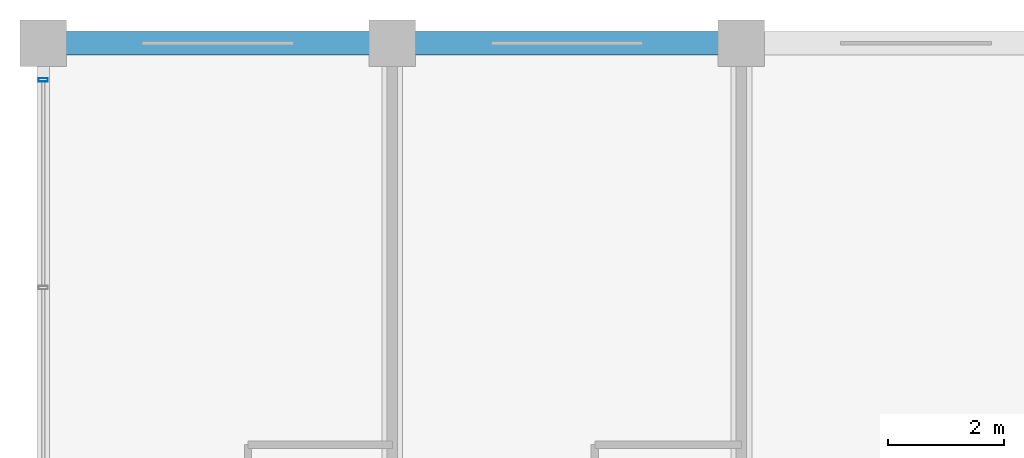
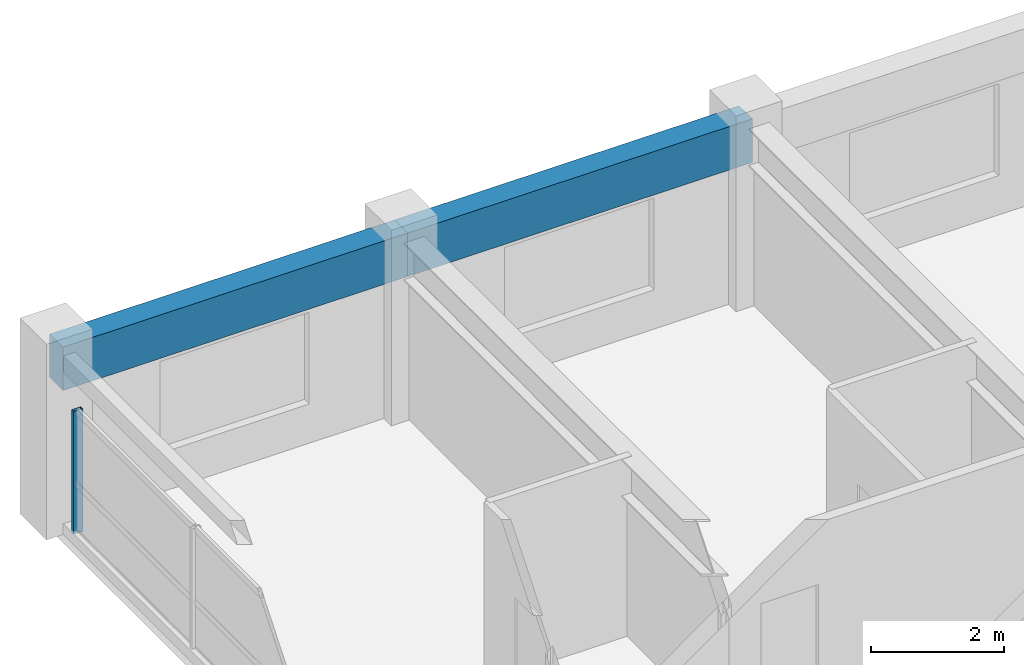
# One storey, part 17 of 26: 2 beams, 1 member, 1 element without a shape of its own.
"""IFC4 building model written with IfcOpenShell, lengths in metres."""

from ifc_helpers import new_model, si_unit, direction, frame, origin, origin_2d, place, context, subcontext, project, spatial, rectangle, hollow_rectangle, extrude, material, material_profile, profile_set, type_object, element, aggregate, save


model = new_model("IFC4")

# Units and contexts
model_context = context("Model", 3, precision=1e-05, world=origin(), true_north=direction((0.0, 1.0)))
body_context = subcontext(model_context, "Body", "Model", "MODEL_VIEW")
ifc_project = project(units=[si_unit("LENGTHUNIT", "METRE"), si_unit("AREAUNIT", "SQUARE_METRE"), si_unit("VOLUMEUNIT", "CUBIC_METRE"), si_unit("PLANEANGLEUNIT", "RADIAN"), si_unit("MASSUNIT", "GRAM", prefix="KILO")], contexts=[model_context])

# Site, building, storey
site_placement = place(None, origin())
site = spatial("IfcSite", under=ifc_project, at=site_placement, CompositionType="ELEMENT")
building_placement = place(site_placement, origin())
building = spatial("IfcBuilding", under=site, at=building_placement, Name="Kaldorvane Square Convention Centre", CompositionType="ELEMENT")
storey_placement = place(building_placement, frame((0.0, 0.0, 45.600006103515625)))
storey = spatial("IfcBuildingStorey", under=building, at=storey_placement, Name="L10", CompositionType="ELEMENT", Elevation=45.600006103515625)

# Beams
ifc_material_1 = material(Name="Concrete f'c = 42 MPa (Normalweight)", Category="concrete")
ifc_material_profile_1 = material_profile(ifc_material_1, rectangle(XDim=0.399993896484375, YDim=0.8000030517578125, at=origin_2d()), Name="RCSP800X400")
ifc_profile_set_1 = profile_set([ifc_material_profile_1], Name="Concrete f'c = 42 MPa (Normalweight)")
beam_type = type_object("IfcBeamType", Name="BM-SP-RC800", PredefinedType="SPANDREL", material=ifc_profile_set_1)
for number, where, z_axis, x_axis, name in (
    (1, (24.0, 117.0, 2.885986328125), (1.0, 0.0, 0.0), (0.0, 1.0, 0.0), "Perimeter Spandrel (L10)"),
    (2, (30.0, 117.0, 2.885986328125), (1.0, 0.0, 0.0), (0.0, 1.0, 0.0), "Perimeter Spandrel (L10)"),
):
    element("IfcBeam", number, at=place(storey_placement, frame(where, z_axis=z_axis, x_axis=x_axis)), inside=storey, type_object=beam_type, Name=name, PredefinedType="SPANDREL", context=body_context, shape_type="SweptSolid", body=[
        extrude(rectangle(XDim=0.399993896484375, YDim=0.8000030517578125, at=origin_2d()), origin(), (0.0, 0.0, 1.0), 6.0),
    ])

# Curtain wall, member
ifc_material_2 = material(Name="Anodized Aluminum and Low-E Insulated Glazing", Category="aluminium")
curtain_wall_type = type_object("IfcCurtainWallType", Name="CW-UNI-HTL-B", PredefinedType="USERDEFINED", material=ifc_material_2)
curtain_wall_placement = place(storey_placement, origin())
curtain_wall = element("IfcCurtainWall", 3, at=curtain_wall_placement, inside=storey, type_object=curtain_wall_type, Name="Curtain Wall CW-11 (L10)", ObjectType="UNITISED GLAZING", PredefinedType="USERDEFINED")
ifc_material_profile_2 = material_profile(ifc_material_2, hollow_rectangle(XDim=0.05999755859375, YDim=0.160003662109375, WallThickness=0.003204345703125, at=origin_2d()), Name="CWM-160X60")
ifc_profile_set_2 = profile_set([ifc_material_profile_2], Name="Anodized Aluminum and Low-E Insulated Glazing")
member_type = type_object("IfcMemberType", Name="CW-MUL-160", PredefinedType="MULLION", material=ifc_profile_set_2)
member_placement = place(storey_placement, frame((24.0, 116.3699951171875, 0.149993896484375), z_axis=(0.0, 0.0, 1.0), x_axis=(0.0, -1.0, 0.0)))
member = element("IfcMember", 4, at=member_placement, type_object=member_type, Name="CW-11 mullion 1", PredefinedType="MULLION", context=body_context, shape_type="SweptSolid", body=[
    extrude(hollow_rectangle(XDim=0.05999755859375, YDim=0.160003662109375, WallThickness=0.003204345703125, at=origin_2d()), origin(), (0.0, 0.0, 1.0), 2.2599945068359375),
])
aggregate(curtain_wall, [member])

save(model, "model.ifc")
